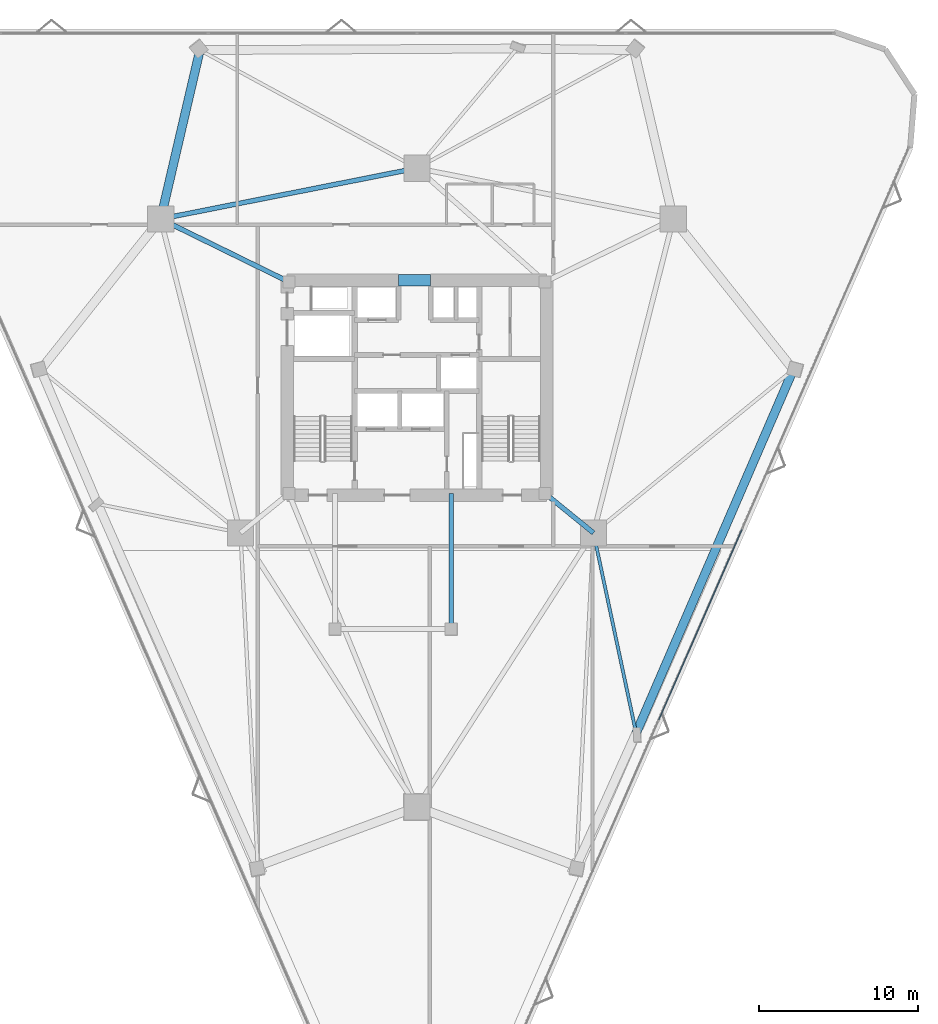
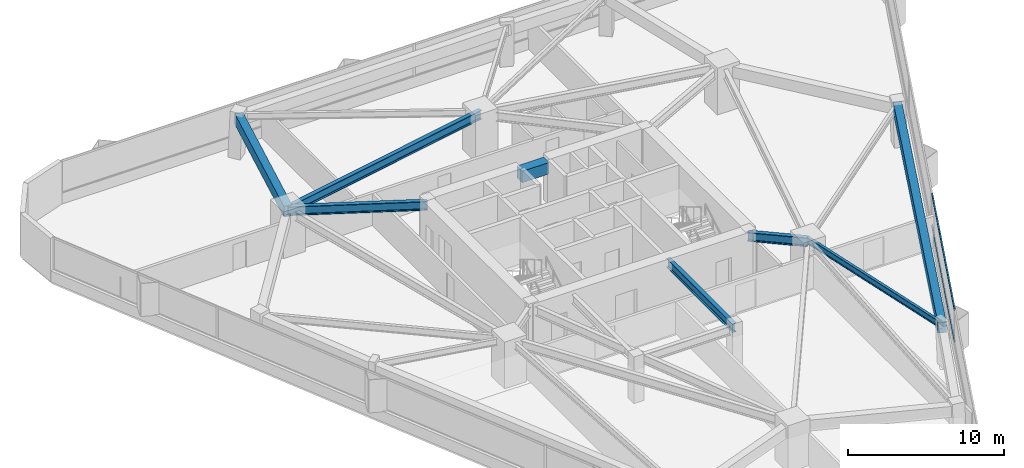
# One storey, part 7 of 18: 8 beams, 2 members, 1 element without a shape of its own.
"""IFC4 building model written with IfcOpenShell, lengths in metres."""

from ifc_helpers import new_model, si_unit, direction, frame, origin, origin_2d, place, context, subcontext, project, spatial, rectangle, i_section, extrude, material, layer, layer_set, material_profile, profile_set, type_object, element, aggregate, save


model = new_model("IFC4")

# Units and contexts
model_context = context("Model", 3, precision=1e-05, world=origin(), true_north=direction((0.0, 1.0)))
body_context = subcontext(model_context, "Body", "Model", "MODEL_VIEW")
ifc_project = project(units=[si_unit("LENGTHUNIT", "METRE"), si_unit("AREAUNIT", "SQUARE_METRE"), si_unit("VOLUMEUNIT", "CUBIC_METRE"), si_unit("PLANEANGLEUNIT", "RADIAN"), si_unit("MASSUNIT", "GRAM", prefix="KILO")], contexts=[model_context])

# Site, building, storey
site_placement = place(None, origin())
site = spatial("IfcSite", under=ifc_project, at=site_placement, CompositionType="ELEMENT")
building_placement = place(site_placement, origin())
building = spatial("IfcBuilding", under=site, at=building_placement, Name="Talyreon Biosciences Tower", CompositionType="ELEMENT")
storey_placement = place(building_placement, frame((0.0, 0.0, 89.60009765625)))
storey = spatial("IfcBuildingStorey", under=building, at=storey_placement, Name="L23", CompositionType="ELEMENT", Elevation=89.60009765625)

# Curtain wall, members
ifc_material_1 = material(Name="Thermally broken aluminium and low-E glazing", Category="aluminium")
ifc_layer = layer(ifc_material_1, 0.18994140625)
ifc_layer_set = layer_set([ifc_layer], Name="Thermally broken aluminium and low-E glazing")
curtain_wall_type = type_object("IfcCurtainWallType", Name="CurtainWall_Zone2Genomics", PredefinedType="NOTDEFINED", material=ifc_layer_set)
curtain_wall_placement = place(storey_placement, origin())
curtain_wall = element("IfcCurtainWall", 1, at=curtain_wall_placement, inside=storey, type_object=curtain_wall_type, Name="L23 Unitised Curtain Wall FCW-L23-08", PredefinedType="NOTDEFINED")
ifc_material_2 = material(Name="Anodised thermally broken aluminium", Category="aluminium")
ifc_material_profile_1 = material_profile(ifc_material_2, rectangle(XDim=0.06494140625, YDim=0.139892578125, at=origin_2d()), Name="ALUM TRANSOM 65x140")
ifc_profile_set_1 = profile_set([ifc_material_profile_1], Name="Anodised thermally broken aluminium")
member_type = type_object("IfcMemberType", Name="CWTransom_65x140", PredefinedType="USERDEFINED", material=ifc_profile_set_1)
member_1_placement = place(storey_placement, frame((86.409912109375, 59.081298828125, 0.84228515625), z_axis=(-0.400538617789, -0.916279878454, 0.0), x_axis=(0.916279878454, -0.400538617789, 0.0)))
member_1 = element("IfcMember", 2, at=member_1_placement, type_object=member_type, Name="CW3 transom 3.1", ObjectType="TRANSOM", PredefinedType="USERDEFINED", context=body_context, shape_type="SweptSolid", body=[
    extrude(rectangle(XDim=0.06494140625, YDim=0.139892578125, at=origin_2d()), origin(), (0.0, 0.0, 1.0), 13.02685546875),
])
member_2_placement = place(storey_placement, frame((86.409912109375, 59.081298828125, 3.34228515625), z_axis=(-0.400538617789, -0.916279878454, 0.0), x_axis=(0.916279878454, -0.400538617789, 0.0)))
member_2 = element("IfcMember", 3, at=member_2_placement, type_object=member_type, Name="CW3 transom 3.2", ObjectType="TRANSOM", PredefinedType="USERDEFINED", context=body_context, shape_type="SweptSolid", body=[
    extrude(rectangle(XDim=0.06494140625, YDim=0.139892578125, at=origin_2d()), origin(), (0.0, 0.0, 1.0), 13.02685546875),
])
aggregate(curtain_wall, [member_1, member_2])

# Beams
ifc_material_3 = material(Name="Concrete C60/75", Category="concrete")
ifc_material_profile_2 = material_profile(ifc_material_3, rectangle(XDim=0.699951171875, YDim=0.89990234375, at=origin_2d()), Name="RCB 700x900")
ifc_profile_set_2 = profile_set([ifc_material_profile_2], Name="Concrete C60/75")
beam_type_1 = type_object("IfcBeamType", Name="CoreCouplingLintel_700x900", PredefinedType="LINTEL", material=ifc_profile_set_2)
beam_1_placement = place(storey_placement, frame((64.85009765625, 74.75, 2.9248046875), z_axis=(1.0, 0.0, 0.0), x_axis=(0.0, 1.0, 0.0)))
element("IfcBeam", 4, at=beam_1_placement, inside=storey, type_object=beam_type_1, Name="L23 Core Coupling Lintel", PredefinedType="LINTEL", context=body_context, shape_type="SweptSolid", body=[
    extrude(rectangle(XDim=0.699951171875, YDim=0.89990234375, at=origin_2d()), origin(), (0.0, 0.0, 1.0), 2.0),
])
ifc_material_4 = material(Name="Precast concrete C45/55", Category="concrete")
ifc_material_profile_3 = material_profile(ifc_material_4, rectangle(XDim=0.550048828125, YDim=0.85009765625, at=origin_2d()), Name="RCB 550x850")
ifc_profile_set_3 = profile_set([ifc_material_profile_3], Name="Precast concrete C45/55")
beam_type_2 = type_object("IfcBeamType", Name="ExpressedSpandrel_550x850", PredefinedType="SPANDREL", material=ifc_profile_set_3)
beam_2_placement = place(storey_placement, frame((79.765869140625, 46.30419921875, 2.949951171875), z_axis=(0.396852599167, 0.917882353319, 0.0), x_axis=(-0.917882353319, 0.396852599167, 0.0)))
element("IfcBeam", 5, at=beam_2_placement, inside=storey, type_object=beam_type_2, Name="L23 Expressed Horizontal Concrete Spandrel 03", PredefinedType="SPANDREL", context=body_context, shape_type="SweptSolid", body=[
    extrude(rectangle(XDim=0.550048828125, YDim=0.85009765625, at=origin_2d()), origin(), (0.0, 0.0, 1.0), 24.874755859375),
])
beam_3_placement = place(storey_placement, frame((52.365966796875, 89.20361328125, 2.949951171875), z_axis=(-0.22668663188, -0.973967746348, 0.0), x_axis=(0.973967746348, -0.22668663188, 0.0)))
element("IfcBeam", 6, at=beam_3_placement, inside=storey, type_object=beam_type_2, Name="L23 Expressed Horizontal Concrete Spandrel 08", PredefinedType="SPANDREL", context=body_context, shape_type="SweptSolid", body=[
    extrude(rectangle(XDim=0.550048828125, YDim=0.85009765625, at=origin_2d()), origin(), (0.0, 0.0, 1.0), 10.888427734375),
])
ifc_material_5 = material(Name="Steel SM355", Category="steel")
ifc_material_profile_4 = material_profile(ifc_material_5, i_section(OverallWidth=0.300048828125, OverallDepth=0.699951171875, WebThickness=0.01708984375, FlangeThickness=0.031982421875, FilletRadius=0.027099609375, at=origin_2d()), Name="HE700B")
ifc_profile_set_4 = profile_set([ifc_material_profile_4], Name="Steel SM355")
beam_type_3 = type_object("IfcBeamType", Name="SteelGirder_HE700B", PredefinedType="BEAM", material=ifc_profile_set_4)
beam_4_placement = place(storey_placement, frame((66.0, 81.788818359375, 3.02490234375), z_axis=(-0.980933730698, -0.194342522311, 0.0), x_axis=(0.194342522311, -0.980933730698, 0.0)))
element("IfcBeam", 7, at=beam_4_placement, inside=storey, type_object=beam_type_3, Name="L23 Mega-Ring Girder 4", PredefinedType="BEAM", context=body_context, shape_type="SweptSolid", body=[
    extrude(i_section(OverallWidth=0.300048828125, OverallDepth=0.699951171875, WebThickness=0.01708984375, FlangeThickness=0.031982421875, FilletRadius=0.027099609375, at=origin_2d()), origin(), (0.0, 0.0, 1.0), 16.415283203125),
])
beam_5_placement = place(storey_placement, frame((74.050048828125, 61.35009765625, 3.02490234375), z_axis=(0.775755154013, -0.631034025249, 0.0), x_axis=(0.631034025249, 0.775755154013, 0.0)))
element("IfcBeam", 8, at=beam_5_placement, inside=storey, type_object=beam_type_3, Name="L23 Radial Primary Girder 2", PredefinedType="BEAM", context=body_context, shape_type="SweptSolid", body=[
    extrude(i_section(OverallWidth=0.300048828125, OverallDepth=0.699951171875, WebThickness=0.01708984375, FlangeThickness=0.031982421875, FilletRadius=0.027099609375, at=origin_2d()), origin(), (0.0, 0.0, 1.0), 3.913818359375),
])
beam_6_placement = place(storey_placement, frame((57.949951171875, 74.64990234375, 3.02490234375), z_axis=(-0.897852360314, 0.440296648952, 0.0), x_axis=(-0.440296648952, -0.897852360314, 0.0)))
element("IfcBeam", 9, at=beam_6_placement, inside=storey, type_object=beam_type_3, Name="L23 Radial Primary Girder 5", PredefinedType="BEAM", context=body_context, shape_type="SweptSolid", body=[
    extrude(i_section(OverallWidth=0.300048828125, OverallDepth=0.699951171875, WebThickness=0.01708984375, FlangeThickness=0.031982421875, FilletRadius=0.027099609375, at=origin_2d()), origin(), (0.0, 0.0, 1.0), 8.96826171875),
])
beam_7_placement = place(storey_placement, frame((68.14990234375, 52.840087890625, 3.02490234375), z_axis=(0.0, 1.0, 0.0), x_axis=(-1.0, 0.0, 0.0)))
element("IfcBeam", 10, at=beam_7_placement, inside=storey, type_object=beam_type_3, Name="L23 Crown Shaft Tie Girder E", PredefinedType="BEAM", context=body_context, shape_type="SweptSolid", body=[
    extrude(i_section(OverallWidth=0.300048828125, OverallDepth=0.699951171875, WebThickness=0.01708984375, FlangeThickness=0.031982421875, FilletRadius=0.027099609375, at=origin_2d()), origin(), (0.0, 0.0, 1.0), 8.510009765625),
])
ifc_material_profile_5 = material_profile(ifc_material_5, i_section(OverallWidth=0.199951171875, OverallDepth=0.5, WebThickness=0.01025390625, FlangeThickness=0.01611328125, FilletRadius=0.02099609375, at=origin_2d()), Name="IPE500")
ifc_profile_set_5 = profile_set([ifc_material_profile_5], Name="Steel SM355")
beam_type_4 = type_object("IfcBeamType", Name="SteelJoist_IPE500", PredefinedType="JOIST", material=ifc_profile_set_5)
beam_8_placement = place(storey_placement, frame((77.086181640625, 58.88037109375, 3.125), z_axis=(0.208398266166, -0.978044049447, 0.0), x_axis=(0.978044049447, 0.208398266166, 0.0)))
element("IfcBeam", 11, at=beam_8_placement, inside=storey, type_object=beam_type_4, Name="L23 Radial Composite Floor Joist PL-SE", PredefinedType="JOIST", context=body_context, shape_type="SweptSolid", body=[
    extrude(i_section(OverallWidth=0.199951171875, OverallDepth=0.5, WebThickness=0.01025390625, FlangeThickness=0.01611328125, FilletRadius=0.02099609375, at=origin_2d()), origin(), (0.0, 0.0, 1.0), 12.8583984375),
])

save(model, "model.ifc")
